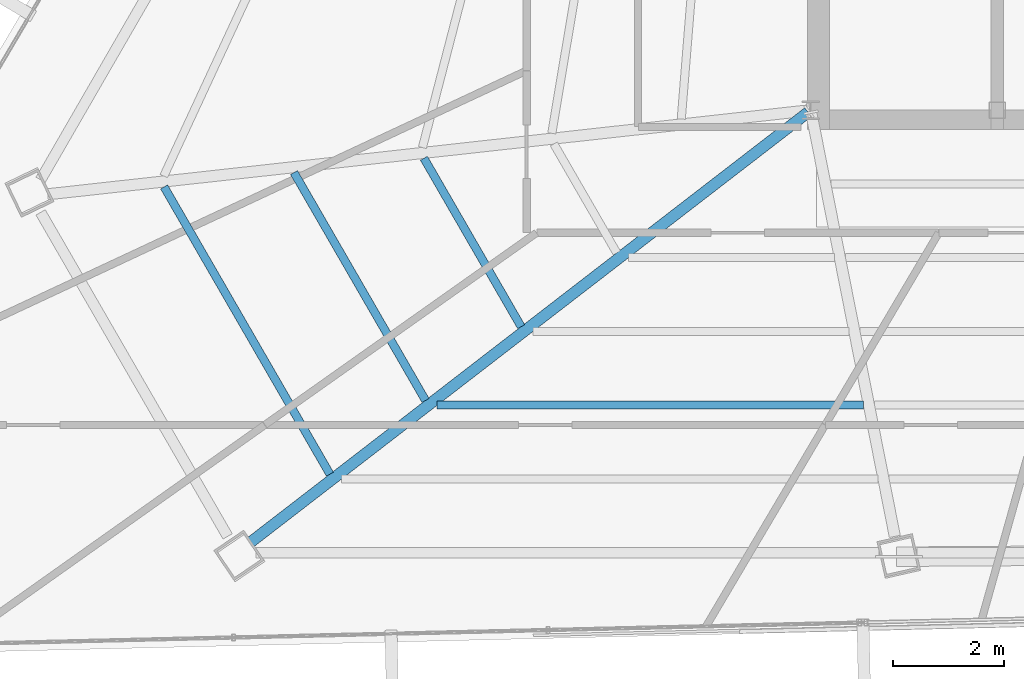
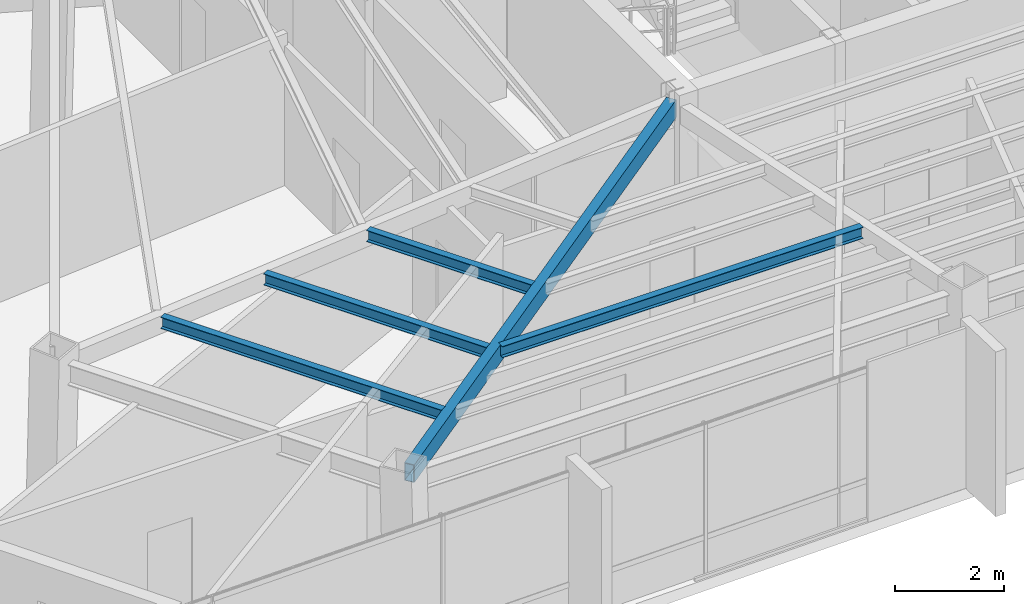
# One storey, part 6 of 44: 5 beams.
"""IFC4 building model written with IfcOpenShell, lengths in metres."""

from ifc_helpers import new_model, si_unit, direction, frame, origin, origin_2d, place, context, subcontext, project, spatial, hollow_rectangle, i_section, extrude, source, transform, mapped, material, material_profile, profile_set, type_object, type_shapes, element, save


model = new_model("IFC4")

# Units and contexts
model_context = context("Model", 3, precision=1e-05, world=origin(), true_north=direction((0.0, 1.0)))
body_context = subcontext(model_context, "Body", "Model", "MODEL_VIEW")
ifc_project = project(units=[si_unit("LENGTHUNIT", "METRE"), si_unit("AREAUNIT", "SQUARE_METRE"), si_unit("VOLUMEUNIT", "CUBIC_METRE"), si_unit("PLANEANGLEUNIT", "RADIAN"), si_unit("MASSUNIT", "GRAM", prefix="KILO")], contexts=[model_context])

# Site, building, storey
site_placement = place(None, origin())
site = spatial("IfcSite", under=ifc_project, at=site_placement, CompositionType="ELEMENT")
building_placement = place(site_placement, origin())
building = spatial("IfcBuilding", under=site, at=building_placement, Name="Caelisora Broadcast Tower", CompositionType="ELEMENT")
storey_placement = place(building_placement, frame((0.0, 0.0, 259.050048828125)))
storey = spatial("IfcBuildingStorey", under=building, at=storey_placement, Name="L68", CompositionType="ELEMENT", Elevation=259.050048828125)

# Beams
ifc_material_1 = material(Name="Steel Grade 350 (AS/NZS 1163 C350L0)", Category="steel")
ifc_material_profile_1 = material_profile(ifc_material_1, hollow_rectangle(XDim=0.199951171875, YDim=0.39990234375, WallThickness=0.012451171875, at=origin_2d()), Name="Steel Grade 350 (AS/NZS 1163 C350L0)")
ifc_profile_set_1 = profile_set([ifc_material_profile_1], Name="Steel Grade 350 (AS/NZS 1163 C350L0)")
beam_type_1 = type_object("IfcBeamType", Name="PG07", PredefinedType="BEAM", material=ifc_profile_set_1)
shared_shape_1 = source(origin(), body_context, "Body", "SweptSolid", [
    extrude(hollow_rectangle(XDim=0.199951171875, YDim=0.39990234375, WallThickness=0.012451171875, at=origin_2d()), origin(), (0.0, 0.0, 1.0), 12.64794921875),
])
type_shapes(beam_type_1, [shared_shape_1])
beam_1_placement = place(storey_placement, frame((30.452392578125, 17.36328125, 3.199951171875), z_axis=(-0.791833996514, -0.610736376815, 0.0), x_axis=(0.610736376815, -0.791833996514, 0.0)))
element("IfcBeam", 1, at=beam_1_placement, inside=storey, type_object=beam_type_1, Name="L68 beam PG07", PredefinedType="BEAM", context=body_context, shape_type="MappedRepresentation", body=[
    mapped(shared_shape_1, transform((0.0, 0.0, 0.0), scale=1.0)),
])
ifc_material_2 = material(Name="Steel Grade 350 (AS/NZS 3679.1)", Category="steel")
ifc_material_profile_2 = material_profile(ifc_material_2, i_section(OverallWidth=0.14599609375, OverallDepth=0.256103515625, WebThickness=0.00634765625, FlangeThickness=0.010986328125, at=origin_2d()), Name="Steel Grade 350 (AS/NZS 3679.1)")
ifc_profile_set_2 = profile_set([ifc_material_profile_2], Name="Steel Grade 350 (AS/NZS 3679.1)")
beam_type_2 = type_object("IfcBeamType", Name="SB04", PredefinedType="JOIST", material=ifc_profile_set_2)
shared_shape_2 = source(origin(), body_context, "Body", "SweptSolid", [
    extrude(i_section(OverallWidth=0.14599609375, OverallDepth=0.256103515625, WebThickness=0.00634765625, FlangeThickness=0.010986328125, at=origin_2d()), origin(), (0.0, 0.0, 1.0), 3.491455078125),
])
beam_2_placement = place(storey_placement, frame((23.555908203125, 16.536865234375, 3.27197265625), z_axis=(0.500027108417, -0.866009752167, 0.0), x_axis=(0.866009752167, 0.500027108417, 0.0)))
element("IfcBeam", 2, at=beam_2_placement, inside=storey, type_object=beam_type_2, Name="L68 beam SB04", PredefinedType="JOIST", context=body_context, shape_type="MappedRepresentation", body=[
    mapped(shared_shape_2, transform((0.0, 0.0, 0.0), scale=1.0)),
])
shared_shape_3 = source(origin(), body_context, "Body", "SweptSolid", [
    extrude(i_section(OverallWidth=0.14599609375, OverallDepth=0.256103515625, WebThickness=0.00634765625, FlangeThickness=0.010986328125, at=origin_2d()), origin(), (0.0, 0.0, 1.0), 4.723388671875),
])
beam_3_placement = place(storey_placement, frame((21.2236328125, 16.27978515625, 3.27197265625), z_axis=(0.499980471007, -0.86603667856, 0.0), x_axis=(0.86603667856, 0.499980471007, 0.0)))
element("IfcBeam", 3, at=beam_3_placement, inside=storey, type_object=beam_type_2, Name="L68 beam SB04", PredefinedType="JOIST", context=body_context, shape_type="MappedRepresentation", body=[
    mapped(shared_shape_3, transform((0.0, 0.0, 0.0), scale=1.0)),
])
shared_shape_4 = source(origin(), body_context, "Body", "SweptSolid", [
    extrude(i_section(OverallWidth=0.14599609375, OverallDepth=0.256103515625, WebThickness=0.00634765625, FlangeThickness=0.010986328125, at=origin_2d()), origin(), (0.0, 0.0, 1.0), 5.955078125),
])
beam_4_placement = place(storey_placement, frame((18.891357421875, 16.022705078125, 3.27197265625), z_axis=(0.500001626982, -0.866024464444, 0.0), x_axis=(0.866024464444, 0.500001626982, 0.0)))
element("IfcBeam", 4, at=beam_4_placement, inside=storey, type_object=beam_type_2, Name="L68 beam SB04", PredefinedType="JOIST", context=body_context, shape_type="MappedRepresentation", body=[
    mapped(shared_shape_4, transform((0.0, 0.0, 0.0), scale=1.0)),
])
shared_shape_5 = source(origin(), body_context, "Body", "SweptSolid", [
    extrude(i_section(OverallWidth=0.14599609375, OverallDepth=0.256103515625, WebThickness=0.00634765625, FlangeThickness=0.010986328125, at=origin_2d()), origin(), (0.0, 0.0, 1.0), 7.65087890625),
])
type_shapes(beam_type_2, [shared_shape_2, shared_shape_3, shared_shape_4, shared_shape_5])
beam_5_placement = place(storey_placement, frame((23.794921875, 12.1044921875, 3.27197265625), z_axis=(1.0, 0.0, 0.0), x_axis=(0.0, 1.0, 0.0)))
element("IfcBeam", 5, at=beam_5_placement, inside=storey, type_object=beam_type_2, Name="L68 beam SB04", PredefinedType="JOIST", context=body_context, shape_type="MappedRepresentation", body=[
    mapped(shared_shape_5, transform((0.0, 0.0, 0.0), scale=1.0)),
])

save(model, "model.ifc")
